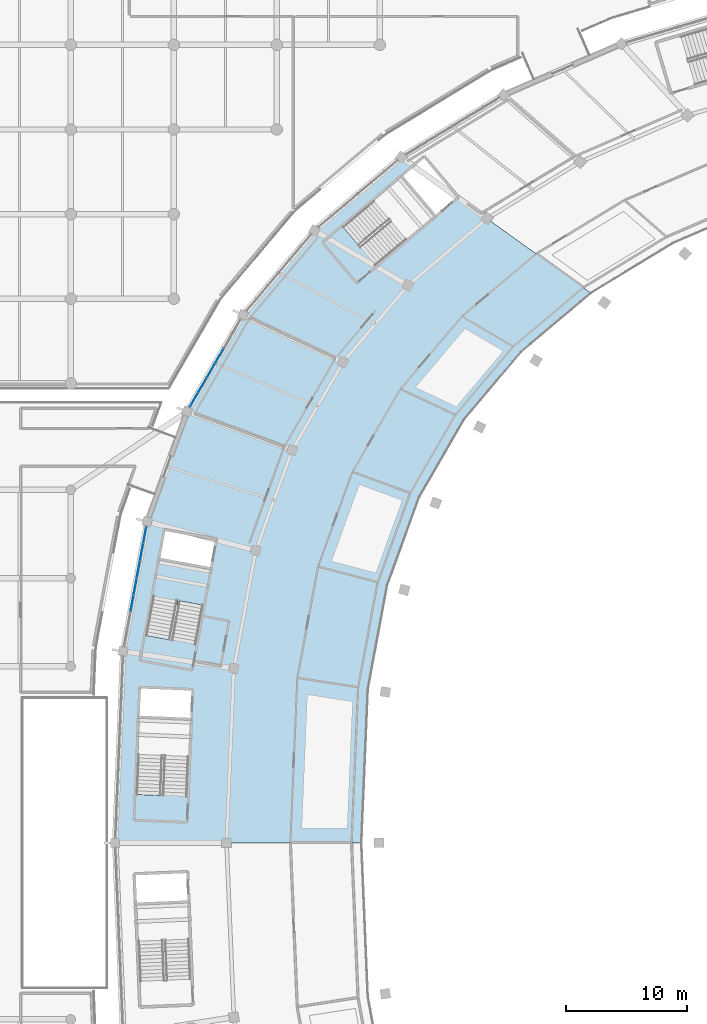
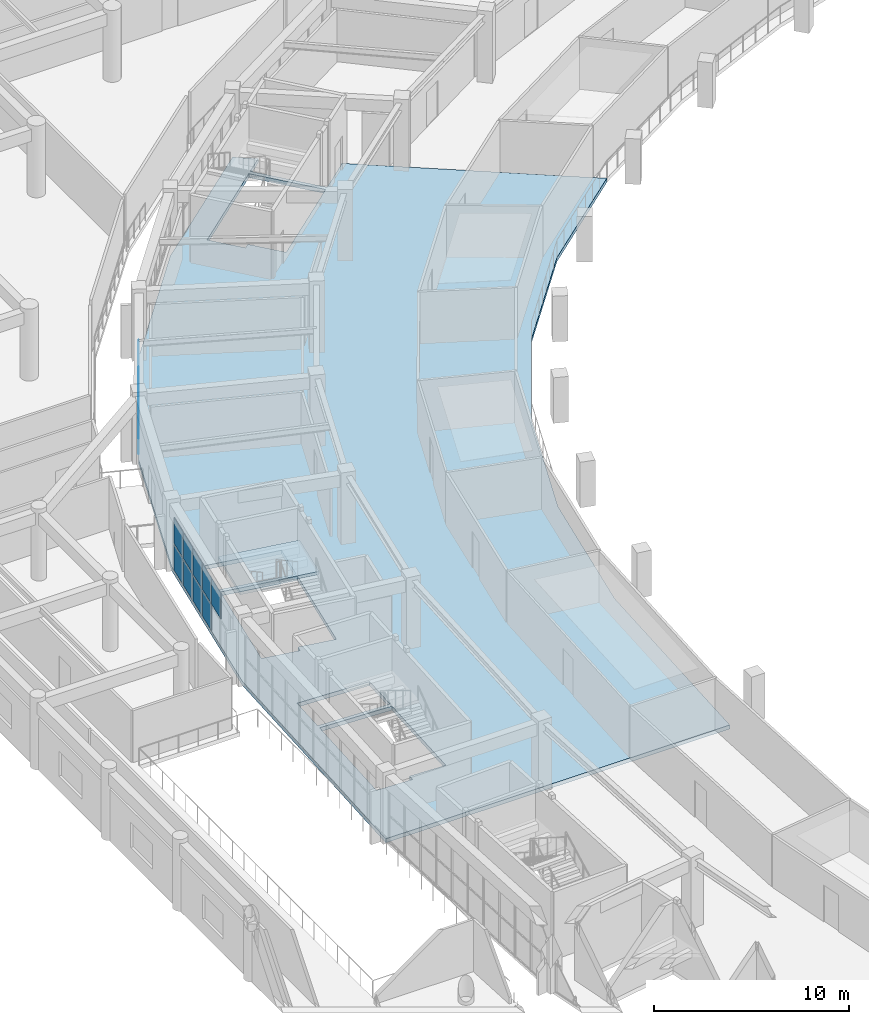
# One storey, part 77 of 141: 17 plates, 2 slabs, 3 elements without a shape of their own.
"""IFC4 building model written with IfcOpenShell, lengths in metres."""

from ifc_helpers import new_model, si_unit, direction, frame, origin, origin_2d, place, context, subcontext, project, spatial, polyline, rectangle, outline, extrude, material, layer, layer_set, type_object, element, aggregate, save


model = new_model("IFC4")

# Units and contexts
model_context = context("Model", 3, precision=1e-05, world=origin(), true_north=direction((0.0, 1.0)))
body_context = subcontext(model_context, "Body", "Model", "MODEL_VIEW")
ifc_project = project(units=[si_unit("LENGTHUNIT", "METRE"), si_unit("AREAUNIT", "SQUARE_METRE"), si_unit("VOLUMEUNIT", "CUBIC_METRE"), si_unit("PLANEANGLEUNIT", "RADIAN"), si_unit("MASSUNIT", "GRAM", prefix="KILO")], contexts=[model_context])

# Site, building, storey
site_placement = place(None, origin())
site = spatial("IfcSite", under=ifc_project, at=site_placement, CompositionType="ELEMENT")
building_placement = place(site_placement, origin())
building = spatial("IfcBuilding", under=site, at=building_placement, Name="Mphavela Belvedere Stadium", CompositionType="ELEMENT")
storey_placement = place(building_placement, frame((0.0, 0.0, 14.699951171875)))
storey = spatial("IfcBuildingStorey", under=building, at=storey_placement, Name="L03", CompositionType="ELEMENT", Elevation=14.699951171875)

# Curtain wall, plates
ifc_material_1 = material(Name="Anodised bronze unitised curtain wall framing")
ifc_layer_1 = layer(ifc_material_1, 0.205078125)
ifc_layer_set_1 = layer_set([ifc_layer_1], Name="Anodised bronze unitised curtain wall framing")
curtain_wall_type_1 = type_object("IfcCurtainWallType", Name="CW-UNIT-06", PredefinedType="USERDEFINED", material=ifc_layer_set_1)
curtain_wall_1_placement = place(storey_placement, origin())
curtain_wall_1 = element("IfcCurtainWall", 1, at=curtain_wall_1_placement, inside=storey, type_object=curtain_wall_type_1, Name="Belvedere colonnade curtain wall L03-21", ObjectType="UNITISED CURTAIN WALL", PredefinedType="USERDEFINED")
ifc_material_2 = material(Name="Solar-control double glazing", Category="glass")
ifc_layer_2 = layer(ifc_material_2, 0.031982421875)
ifc_layer_set_2 = layer_set([ifc_layer_2], Name="Solar-control double glazing")
plate_type = type_object("IfcPlateType", Name="CWP-SOLAR-GLASS", PredefinedType="CURTAIN_PANEL", material=ifc_layer_set_2)
plate_1_placement = place(storey_placement, frame((20.803955078125, 127.282958984375, 0.06005859375), z_axis=(0.0, 0.0, 1.0), x_axis=(-0.50055409961, -0.865705257789, 0.0)))
plate_1 = element("IfcPlate", 2, at=plate_1_placement, type_object=plate_type, Name="CW-06 panel 3.1", PredefinedType="CURTAIN_PANEL", context=body_context, shape_type="SweptSolid", body=[
    extrude(rectangle(XDim=1.346923828125, YDim=0.031982421875, at=origin_2d()), origin(), (0.0, 0.0, 1.0), 1.6201171875),
])
plate_2_placement = place(storey_placement, frame((20.803955078125, 127.282958984375, 1.739990234375), z_axis=(0.0, 0.0, 1.0), x_axis=(-0.50055409961, -0.865705257789, 0.0)))
plate_2 = element("IfcPlate", 3, at=plate_2_placement, type_object=plate_type, Name="CW-06 panel 3.2", PredefinedType="CURTAIN_PANEL", context=body_context, shape_type="SweptSolid", body=[
    extrude(rectangle(XDim=1.346923828125, YDim=0.031982421875, at=origin_2d()), origin(), (0.0, 0.0, 1.0), 1.6201171875),
])
plate_3_placement = place(storey_placement, frame((20.097412109375, 126.060791015625, 0.06005859375), z_axis=(0.0, 0.0, 1.0), x_axis=(-0.50055409961, -0.865705257789, 0.0)))
plate_3 = element("IfcPlate", 4, at=plate_3_placement, type_object=plate_type, Name="CW-06 panel 4.1", PredefinedType="CURTAIN_PANEL", context=body_context, shape_type="SweptSolid", body=[
    extrude(rectangle(XDim=1.346923828125, YDim=0.031982421875, at=origin_2d()), origin(), (0.0, 0.0, 1.0), 1.6201171875),
])
plate_4_placement = place(storey_placement, frame((20.097412109375, 126.060791015625, 1.739990234375), z_axis=(0.0, 0.0, 1.0), x_axis=(-0.50055409961, -0.865705257789, 0.0)))
plate_4 = element("IfcPlate", 5, at=plate_4_placement, type_object=plate_type, Name="CW-06 panel 4.2", PredefinedType="CURTAIN_PANEL", context=body_context, shape_type="SweptSolid", body=[
    extrude(rectangle(XDim=1.346923828125, YDim=0.031982421875, at=origin_2d()), origin(), (0.0, 0.0, 1.0), 1.6201171875),
])
plate_5_placement = place(storey_placement, frame((19.390625, 124.838623046875, 0.06005859375), z_axis=(0.0, 0.0, 1.0), x_axis=(-0.50055409961, -0.865705257789, 0.0)))
plate_5 = element("IfcPlate", 6, at=plate_5_placement, type_object=plate_type, Name="CW-06 panel 5.1", PredefinedType="CURTAIN_PANEL", context=body_context, shape_type="SweptSolid", body=[
    extrude(rectangle(XDim=1.346923828125, YDim=0.031982421875, at=origin_2d()), origin(), (0.0, 0.0, 1.0), 1.6201171875),
])
plate_6_placement = place(storey_placement, frame((19.390625, 124.838623046875, 1.739990234375), z_axis=(0.0, 0.0, 1.0), x_axis=(-0.50055409961, -0.865705257789, 0.0)))
plate_6 = element("IfcPlate", 7, at=plate_6_placement, type_object=plate_type, Name="CW-06 panel 5.2", PredefinedType="CURTAIN_PANEL", context=body_context, shape_type="SweptSolid", body=[
    extrude(rectangle(XDim=1.346923828125, YDim=0.031982421875, at=origin_2d()), origin(), (0.0, 0.0, 1.0), 1.6201171875),
])
plate_7_placement = place(storey_placement, frame((18.692138671875, 123.63037109375, 0.06005859375), z_axis=(0.0, 0.0, 1.0), x_axis=(-0.50055409961, -0.865705257789, 0.0)))
plate_7 = element("IfcPlate", 8, at=plate_7_placement, type_object=plate_type, Name="CW-06 panel 6.1", PredefinedType="CURTAIN_PANEL", context=body_context, shape_type="SweptSolid", body=[
    extrude(rectangle(XDim=1.314453125, YDim=0.031982421875, at=origin_2d()), origin(), (0.0, 0.0, 1.0), 1.6201171875),
])
plate_8_placement = place(storey_placement, frame((18.692138671875, 123.63037109375, 1.739990234375), z_axis=(0.0, 0.0, 1.0), x_axis=(-0.50055409961, -0.865705257789, 0.0)))
plate_8 = element("IfcPlate", 9, at=plate_8_placement, type_object=plate_type, Name="CW-06 panel 6.2", PredefinedType="CURTAIN_PANEL", context=body_context, shape_type="SweptSolid", body=[
    extrude(rectangle(XDim=1.314453125, YDim=0.031982421875, at=origin_2d()), origin(), (0.0, 0.0, 1.0), 1.6201171875),
])
aggregate(curtain_wall_1, [plate_1, plate_2, plate_3, plate_4, plate_5, plate_6, plate_7, plate_8])

ifc_material_3 = material(Name="Anodised bronze unitised curtain wall framing")
ifc_layer_3 = layer(ifc_material_3, 0.179931640625)
ifc_layer_set_3 = layer_set([ifc_layer_3], Name="Anodised bronze unitised curtain wall framing")
curtain_wall_type_2 = type_object("IfcCurtainWallType", Name="CW-UNIT-01", PredefinedType="USERDEFINED", material=ifc_layer_set_3)
curtain_wall_2_placement = place(storey_placement, origin())
curtain_wall_2 = element("IfcCurtainWall", 10, at=curtain_wall_2_placement, inside=storey, type_object=curtain_wall_type_2, Name="Belvedere colonnade curtain wall L03-23", ObjectType="UNITISED CURTAIN WALL", PredefinedType="USERDEFINED")
plate_9_placement = place(storey_placement, frame((14.6318359375, 112.466552734375, 0.06005859375), z_axis=(0.0, 0.0, 1.0), x_axis=(-0.182631222254, -0.983181487142, 0.0)))
plate_9 = element("IfcPlate", 11, at=plate_9_placement, type_object=plate_type, Name="CW-01 panel 1.1", PredefinedType="CURTAIN_PANEL", context=body_context, shape_type="SweptSolid", body=[
    extrude(rectangle(XDim=1.353271484375, YDim=0.031982421875, at=origin_2d()), origin(), (0.0, 0.0, 1.0), 1.6201171875),
])
plate_10_placement = place(storey_placement, frame((14.6318359375, 112.466552734375, 1.739990234375), z_axis=(0.0, 0.0, 1.0), x_axis=(-0.182631222254, -0.983181487142, 0.0)))
plate_10 = element("IfcPlate", 12, at=plate_10_placement, type_object=plate_type, Name="CW-01 panel 1.2", PredefinedType="CURTAIN_PANEL", context=body_context, shape_type="SweptSolid", body=[
    extrude(rectangle(XDim=1.353271484375, YDim=0.031982421875, at=origin_2d()), origin(), (0.0, 0.0, 1.0), 1.6201171875),
])
plate_11_placement = place(storey_placement, frame((14.369873046875, 111.056396484375, 0.06005859375), z_axis=(0.0, 0.0, 1.0), x_axis=(-0.182631222254, -0.983181487142, 0.0)))
plate_11 = element("IfcPlate", 13, at=plate_11_placement, type_object=plate_type, Name="CW-01 panel 2.1", PredefinedType="CURTAIN_PANEL", context=body_context, shape_type="SweptSolid", body=[
    extrude(rectangle(XDim=1.3857421875, YDim=0.031982421875, at=origin_2d()), origin(), (0.0, 0.0, 1.0), 1.6201171875),
])
plate_12_placement = place(storey_placement, frame((14.369873046875, 111.056396484375, 1.739990234375), z_axis=(0.0, 0.0, 1.0), x_axis=(-0.182631222254, -0.983181487142, 0.0)))
plate_12 = element("IfcPlate", 14, at=plate_12_placement, type_object=plate_type, Name="CW-01 panel 2.2", PredefinedType="CURTAIN_PANEL", context=body_context, shape_type="SweptSolid", body=[
    extrude(rectangle(XDim=1.3857421875, YDim=0.031982421875, at=origin_2d()), origin(), (0.0, 0.0, 1.0), 1.6201171875),
])
plate_13_placement = place(storey_placement, frame((14.10498046875, 109.630126953125, 0.06005859375), z_axis=(0.0, 0.0, 1.0), x_axis=(-0.182631222254, -0.983181487142, 0.0)))
plate_13 = element("IfcPlate", 15, at=plate_13_placement, type_object=plate_type, Name="CW-01 panel 3.1", PredefinedType="CURTAIN_PANEL", context=body_context, shape_type="SweptSolid", body=[
    extrude(rectangle(XDim=1.3857421875, YDim=0.031982421875, at=origin_2d()), origin(), (0.0, 0.0, 1.0), 1.6201171875),
])
plate_14_placement = place(storey_placement, frame((14.10498046875, 109.630126953125, 1.739990234375), z_axis=(0.0, 0.0, 1.0), x_axis=(-0.182631222254, -0.983181487142, 0.0)))
plate_14 = element("IfcPlate", 16, at=plate_14_placement, type_object=plate_type, Name="CW-01 panel 3.2", PredefinedType="CURTAIN_PANEL", context=body_context, shape_type="SweptSolid", body=[
    extrude(rectangle(XDim=1.3857421875, YDim=0.031982421875, at=origin_2d()), origin(), (0.0, 0.0, 1.0), 1.6201171875),
])
plate_15_placement = place(storey_placement, frame((13.840087890625, 108.203857421875, 0.06005859375), z_axis=(0.0, 0.0, 1.0), x_axis=(-0.182631222254, -0.983181487142, 0.0)))
plate_15 = element("IfcPlate", 17, at=plate_15_placement, type_object=plate_type, Name="CW-01 panel 4.1", PredefinedType="CURTAIN_PANEL", context=body_context, shape_type="SweptSolid", body=[
    extrude(rectangle(XDim=1.3857421875, YDim=0.031982421875, at=origin_2d()), origin(), (0.0, 0.0, 1.0), 1.6201171875),
])
plate_16_placement = place(storey_placement, frame((13.840087890625, 108.203857421875, 1.739990234375), z_axis=(0.0, 0.0, 1.0), x_axis=(-0.182631222254, -0.983181487142, 0.0)))
plate_16 = element("IfcPlate", 18, at=plate_16_placement, type_object=plate_type, Name="CW-01 panel 4.2", PredefinedType="CURTAIN_PANEL", context=body_context, shape_type="SweptSolid", body=[
    extrude(rectangle(XDim=1.3857421875, YDim=0.031982421875, at=origin_2d()), origin(), (0.0, 0.0, 1.0), 1.6201171875),
])
plate_17_placement = place(storey_placement, frame((13.574951171875, 106.77734375, 1.739990234375), z_axis=(0.0, 0.0, 1.0), x_axis=(-0.182631222254, -0.983181487142, 0.0)))
plate_17 = element("IfcPlate", 19, at=plate_17_placement, type_object=plate_type, Name="CW-01 panel 5.2", PredefinedType="CURTAIN_PANEL", context=body_context, shape_type="SweptSolid", body=[
    extrude(rectangle(XDim=1.3857421875, YDim=0.031982421875, at=origin_2d()), origin(), (0.0, 0.0, 1.0), 1.6201171875),
])
aggregate(curtain_wall_2, [plate_9, plate_10, plate_11, plate_12, plate_13, plate_14, plate_15, plate_16, plate_17])

# Slab
ifc_material_4 = material(Name="Concrete C40/50", Category="concrete")
ifc_layer_4 = layer(ifc_material_4, 0.25)
ifc_layer_set_4 = layer_set([ifc_layer_4], Name="Concrete C40/50")
slab_type_1 = type_object("IfcSlabType", Name="SLB-CONCOURSE-250", PredefinedType="FLOOR", material=ifc_layer_set_4)
slab_1_placement = place(storey_placement, frame((0.0, 0.0, -0.25)))
element("IfcSlab", 20, at=slab_1_placement, inside=storey, type_object=slab_type_1, Name="Concourse sector slab L03-S4", PredefinedType="FLOOR", context=body_context, shape_type="SweptSolid", body=[
    extrude(outline(polyline([(22.757568359375, 130.66162109375), (28.66162109375, 137.653564453125), (35.844482421875, 143.714599609375), (36.924560546875, 142.940673828125), (36.0, 142.160400390625), (38.702392578125, 138.958251953125), (40.4296875, 140.415771484375), (40.40087890625, 140.449951171875), (51.526123046875, 132.478515625), (45.7666015625, 127.618408203125), (41.031982421875, 122.011474609375), (37.33251953125, 115.61328125), (34.67919921875, 108.300048828125), (33.0830078125, 99.705810546875), (32.550048828125, 87.0), (12.179931640625, 87.0), (12.844482421875, 102.844970703125), (14.83544921875, 113.5625), (18.143798828125, 122.682373046875), (22.757568359375, 130.66162109375)]), holes=[polyline([(33.979248046875, 134.97265625), (38.5341796875, 138.81640625), (35.83203125, 142.0185546875), (31.020263671875, 137.9580078125), (32.371337890625, 136.35693359375), (32.628173828125, 136.57373046875), (33.979248046875, 134.97265625)]), polyline([(16.785888671875, 103.780517578125), (16.84716796875, 104.11083984375), (18.906982421875, 103.728515625), (19.9951171875, 109.58837890625), (15.87548828125, 110.353271484375), (14.72607421875, 104.1630859375), (16.785888671875, 103.780517578125)]), polyline([(20.03515625, 109.8046875), (20.44775390625, 112.026611328125), (16.328125, 112.79150390625), (15.91552734375, 110.569580078125), (20.03515625, 109.8046875)]), polyline([(14.200439453125, 97.29345703125), (13.936767578125, 91.0029296875), (16.030029296875, 90.915283203125), (16.044189453125, 91.2509765625), (18.13720703125, 91.1630859375), (18.38671875, 97.117919921875), (14.200439453125, 97.29345703125)]), polyline([(14.30419921875, 99.771240234375), (14.209716796875, 97.51318359375), (18.39599609375, 97.337890625), (18.490478515625, 99.595703125), (14.30419921875, 99.771240234375)])]), origin(), (0.0, 0.0, 1.0), 0.25),
])

# Stair, slab
ifc_material_5 = material(Name="Concrete C40/50", Category="concrete")
stair_type = type_object("IfcStairType", Name="STR-HALF-TURN-3", PredefinedType="HALF_TURN_STAIR", material=ifc_material_5)
stair_placement = place(storey_placement, origin())
stair = element("IfcStair", 21, at=stair_placement, inside=storey, type_object=stair_type, Name="L03 Escape stair core C06", PredefinedType="HALF_TURN_STAIR")
ifc_material_6 = material(Name="Concrete C40/50", Category="concrete")
ifc_layer_5 = layer(ifc_material_6, 0.199951171875)
ifc_layer_set_5 = layer_set([ifc_layer_5], Name="Concrete C40/50")
slab_type_2 = type_object("IfcSlabType", Name="SLB-LANDING-200", PredefinedType="LANDING", material=ifc_layer_set_5)
slab_2_placement = place(storey_placement, frame((0.0, 0.0, 2.050048828125)))
slab_2 = element("IfcSlab", 22, at=slab_2_placement, type_object=slab_type_2, Name="ST-C06 landing 1", PredefinedType="LANDING", context=body_context, shape_type="SweptSolid", body=[
    extrude(outline(polyline([(19.568359375, 106.633544921875), (20.113037109375, 109.56640625), (15.757568359375, 110.375244140625), (15.148193359375, 107.09326171875), (17.32568359375, 106.68896484375), (17.390625, 107.037841796875), (19.568359375, 106.633544921875)])), origin(), (0.0, 0.0, 1.0), 0.199951171875),
])
aggregate(stair, [slab_2])

save(model, "model.ifc")
